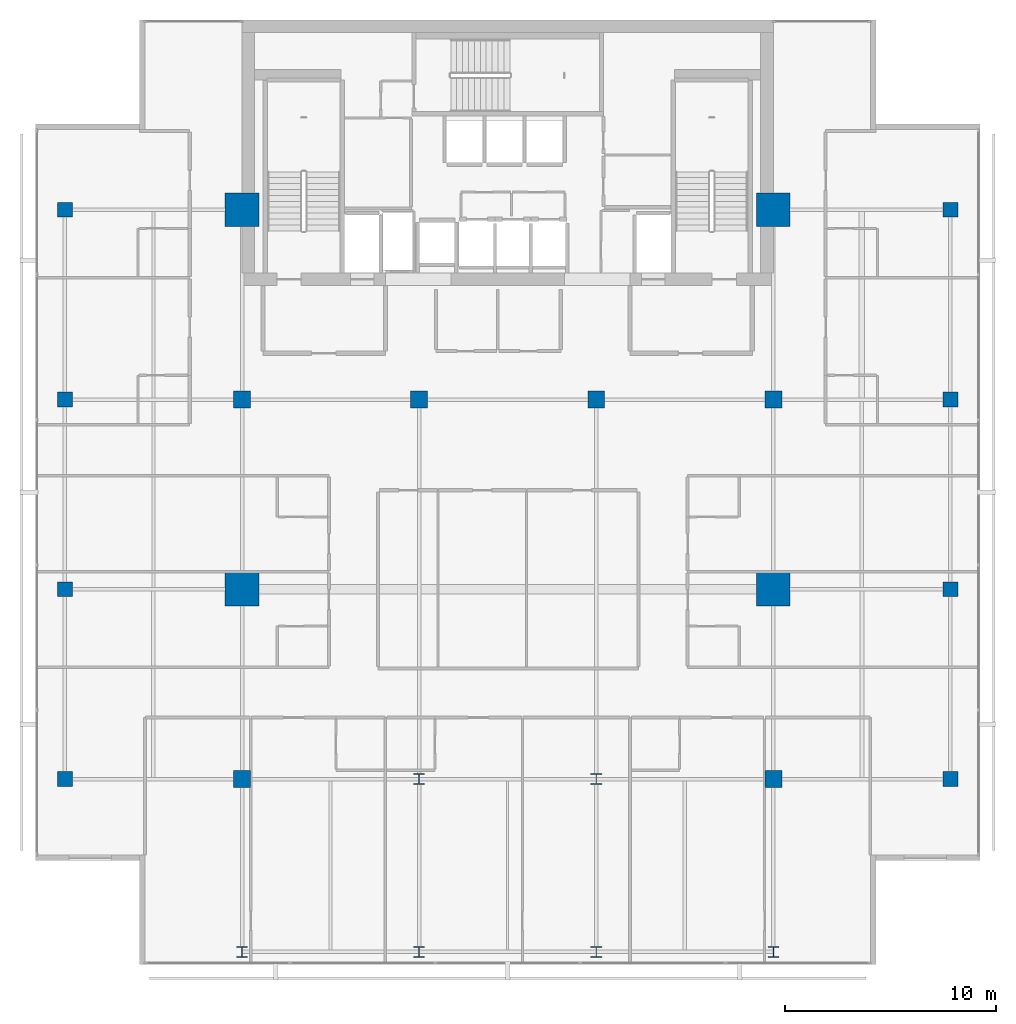
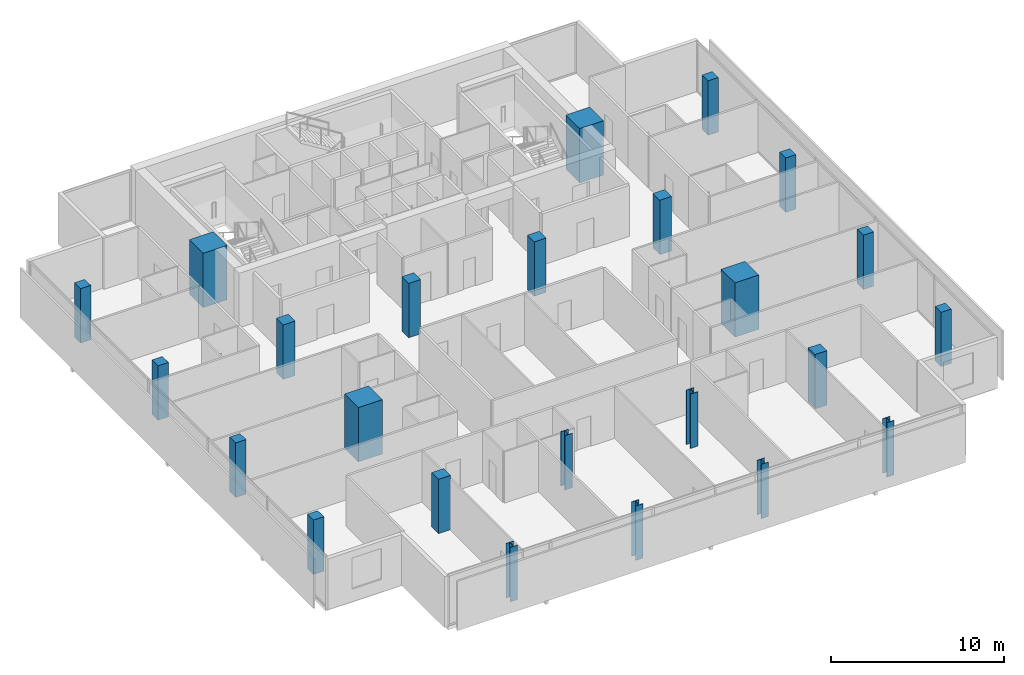
# One storey, part 1 of 26: 24 columns.
"""IFC4 building model written with IfcOpenShell, lengths in metres."""

from ifc_helpers import new_model, si_unit, direction, frame, origin, origin_2d, place, context, subcontext, project, spatial, rectangle, i_section, extrude, material, material_profile, profile_set, type_object, element, save


model = new_model("IFC4")

# Units and contexts
model_context = context("Model", 3, precision=1e-05, world=origin(), true_north=direction((0.0, 1.0)))
body_context = subcontext(model_context, "Body", "Model", "MODEL_VIEW")
ifc_project = project(units=[si_unit("LENGTHUNIT", "METRE"), si_unit("AREAUNIT", "SQUARE_METRE"), si_unit("VOLUMEUNIT", "CUBIC_METRE"), si_unit("PLANEANGLEUNIT", "RADIAN"), si_unit("MASSUNIT", "GRAM", prefix="KILO")], contexts=[model_context])

# Site, building, storey
site_placement = place(None, origin())
site = spatial("IfcSite", under=ifc_project, at=site_placement, CompositionType="ELEMENT")
building_placement = place(site_placement, origin())
building = spatial("IfcBuilding", under=site, at=building_placement, Name="Maruvema Waterfront Hotel and Observation Tower", CompositionType="ELEMENT")
storey_placement = place(building_placement, frame((0.0, 0.0, 301.0)))
storey = spatial("IfcBuildingStorey", under=building, at=storey_placement, Name="L74", CompositionType="ELEMENT", Elevation=301.0)

# Columns
ifc_material_1 = material(Name="Concrete C70/85", Category="concrete")
ifc_material_profile_1 = material_profile(ifc_material_1, rectangle(XDim=1.60009765625, YDim=1.60009765625, at=origin_2d()), Name="MC1600x1600")
ifc_profile_set_1 = profile_set([ifc_material_profile_1], Name="Concrete C70/85")
column_type_1 = type_object("IfcColumnType", Name="Continuous Mega-Column MC1600x1600", PredefinedType="COLUMN", material=ifc_profile_set_1)
for number, where, z_axis, x_axis, name in (
    (1, (25.199951171875, 27.0, 0.0), (0.0, 0.0, 1.0), (1.0, 0.0, 0.0), "L74 Continuous Mega-Column MC-01"),
    (2, (50.39990234375, 27.0, 0.0), (0.0, 0.0, 1.0), (1.0, 0.0, 0.0), "L74 Continuous Mega-Column MC-02"),
    (3, (25.199951171875, 45.0, 0.0), (0.0, 0.0, 1.0), (1.0, 0.0, 0.0), "L74 Continuous Mega-Column MC-03"),
    (4, (50.39990234375, 45.0, 0.0), (0.0, 0.0, 1.0), (1.0, 0.0, 0.0), "L74 Continuous Mega-Column MC-04"),
):
    element("IfcColumn", number, at=place(storey_placement, frame(where, z_axis=z_axis, x_axis=x_axis)), inside=storey, type_object=column_type_1, Name=name, PredefinedType="COLUMN", context=body_context, shape_type="SweptSolid", body=[
        extrude(rectangle(XDim=1.60009765625, YDim=1.60009765625, at=origin_2d()), origin(), (0.0, 0.0, 1.0), 3.85009765625),
    ])
ifc_material_2 = material(Name="Concrete C60/75", Category="concrete")
ifc_material_profile_2 = material_profile(ifc_material_2, rectangle(XDim=0.699951171875, YDim=0.699951171875, at=origin_2d()), Name="RC700x700")
ifc_profile_set_2 = profile_set([ifc_material_profile_2], Name="Concrete C60/75")
column_type_2 = type_object("IfcColumnType", Name="Reinforced Concrete Column RC700x700", PredefinedType="COLUMN", material=ifc_profile_set_2)
for number, where, z_axis, x_axis, name in (
    (5, (16.800048828125, 18.0, 0.0), (0.0, 0.0, 1.0), (1.0, 0.0, 0.0), "L74 Column C-3Y18"),
    (6, (58.800048828125, 18.0, 0.0), (0.0, 0.0, 1.0), (1.0, 0.0, 0.0), "L74 Column C-8Y18"),
    (7, (16.800048828125, 27.0, 0.0), (0.0, 0.0, 1.0), (1.0, 0.0, 0.0), "L74 Column C-3Y27"),
    (8, (58.800048828125, 27.0, 0.0), (0.0, 0.0, 1.0), (1.0, 0.0, 0.0), "L74 Column C-8Y27"),
    (9, (16.800048828125, 36.0, 0.0), (0.0, 0.0, 1.0), (1.0, 0.0, 0.0), "L74 Column C-3Y36"),
    (10, (58.800048828125, 36.0, 0.0), (0.0, 0.0, 1.0), (1.0, 0.0, 0.0), "L74 Column C-8Y36"),
    (11, (16.800048828125, 45.0, 0.0), (0.0, 0.0, 1.0), (1.0, 0.0, 0.0), "L74 Column C-3Y45"),
    (12, (58.800048828125, 45.0, 0.0), (0.0, 0.0, 1.0), (1.0, 0.0, 0.0), "L74 Column C-8Y45"),
):
    element("IfcColumn", number, at=place(storey_placement, frame(where, z_axis=z_axis, x_axis=x_axis)), inside=storey, type_object=column_type_2, Name=name, PredefinedType="COLUMN", context=body_context, shape_type="SweptSolid", body=[
        extrude(rectangle(XDim=0.699951171875, YDim=0.699951171875, at=origin_2d()), origin(), (0.0, 0.0, 1.0), 3.85009765625),
    ])
ifc_material_3 = material(Name="Concrete C60/75", Category="concrete")
ifc_material_profile_3 = material_profile(ifc_material_3, rectangle(XDim=0.800048828125, YDim=0.800048828125, at=origin_2d()), Name="RC800x800")
ifc_profile_set_3 = profile_set([ifc_material_profile_3], Name="Concrete C60/75")
column_type_3 = type_object("IfcColumnType", Name="Reinforced Concrete Column RC800x800", PredefinedType="COLUMN", material=ifc_profile_set_3)
for number, where, z_axis, x_axis, name in (
    (13, (25.199951171875, 36.0, 0.0), (0.0, 0.0, 1.0), (1.0, 0.0, 0.0), "L74 Column C-4E"),
    (14, (33.60009765625, 36.0, 0.0), (0.0, 0.0, 1.0), (1.0, 0.0, 0.0), "L74 Column C-5E"),
    (15, (42.0, 36.0, 0.0), (0.0, 0.0, 1.0), (1.0, 0.0, 0.0), "L74 Column C-6E"),
    (16, (50.39990234375, 36.0, 0.0), (0.0, 0.0, 1.0), (1.0, 0.0, 0.0), "L74 Column C-7E"),
    (17, (25.199951171875, 18.0, 0.0), (0.0, 0.0, 1.0), (1.0, 0.0, 0.0), "L74 Column C-4C"),
    (18, (50.39990234375, 18.0, 0.0), (0.0, 0.0, 1.0), (1.0, 0.0, 0.0), "L74 Column C-7C"),
):
    element("IfcColumn", number, at=place(storey_placement, frame(where, z_axis=z_axis, x_axis=x_axis)), inside=storey, type_object=column_type_3, Name=name, PredefinedType="COLUMN", context=body_context, shape_type="SweptSolid", body=[
        extrude(rectangle(XDim=0.800048828125, YDim=0.800048828125, at=origin_2d()), origin(), (0.0, 0.0, 1.0), 3.85009765625),
    ])
ifc_material_4 = material(Name="Steel ABNT NBR 7007 AR 415 (ASTM A572 Grade 50)", Category="steel")
ifc_material_profile_4 = material_profile(ifc_material_4, i_section(OverallWidth=0.5, OverallDepth=0.5, WebThickness=0.02197265625, FlangeThickness=0.031982421875, at=origin_2d()), Name="CVS500x223")
ifc_profile_set_4 = profile_set([ifc_material_profile_4], Name="Steel ABNT NBR 7007 AR 415 (ASTM A572 Grade 50)")
column_type_4 = type_object("IfcColumnType", Name="Structural Steel Column CVS500x223", PredefinedType="COLUMN", material=ifc_profile_set_4)
for number, where, z_axis, x_axis, name in (
    (19, (33.60009765625, 18.0, 0.0), (0.0, 0.0, 1.0), (1.0, 0.0, 0.0), "L74 Column C-5C"),
    (20, (42.0, 18.0, 0.0), (0.0, 0.0, 1.0), (1.0, 0.0, 0.0), "L74 Column C-6C"),
    (21, (25.199951171875, 9.800048828125, 0.0), (0.0, 0.0, 1.0), (1.0, 0.0, 0.0), "L74 Column C-Z3S4"),
    (22, (33.60009765625, 9.800048828125, 0.0), (0.0, 0.0, 1.0), (1.0, 0.0, 0.0), "L74 Column C-Z3S5"),
    (23, (42.0, 9.800048828125, 0.0), (0.0, 0.0, 1.0), (1.0, 0.0, 0.0), "L74 Column C-Z3S6"),
    (24, (50.39990234375, 9.800048828125, 0.0), (0.0, 0.0, 1.0), (1.0, 0.0, 0.0), "L74 Column C-Z3S7"),
):
    element("IfcColumn", number, at=place(storey_placement, frame(where, z_axis=z_axis, x_axis=x_axis)), inside=storey, type_object=column_type_4, Name=name, PredefinedType="COLUMN", context=body_context, shape_type="SweptSolid", body=[
        extrude(i_section(OverallWidth=0.5, OverallDepth=0.5, WebThickness=0.02197265625, FlangeThickness=0.031982421875, at=origin_2d()), origin(), (0.0, 0.0, 1.0), 3.85009765625),
    ])

save(model, "model.ifc")
